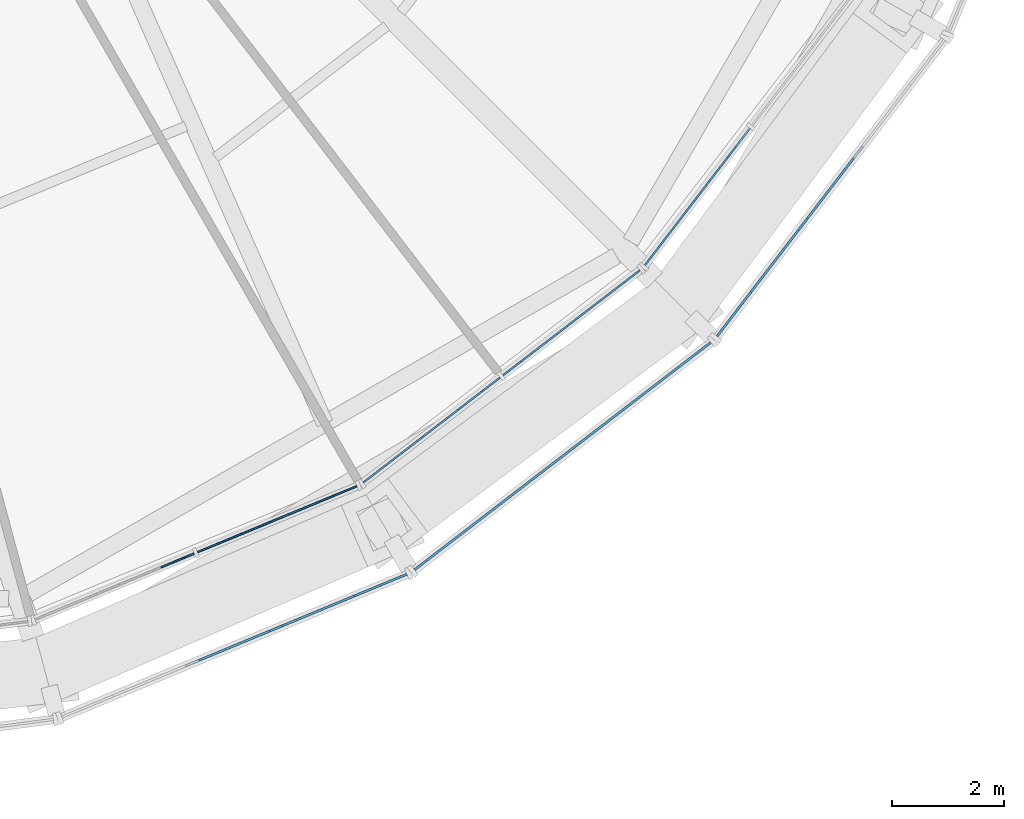
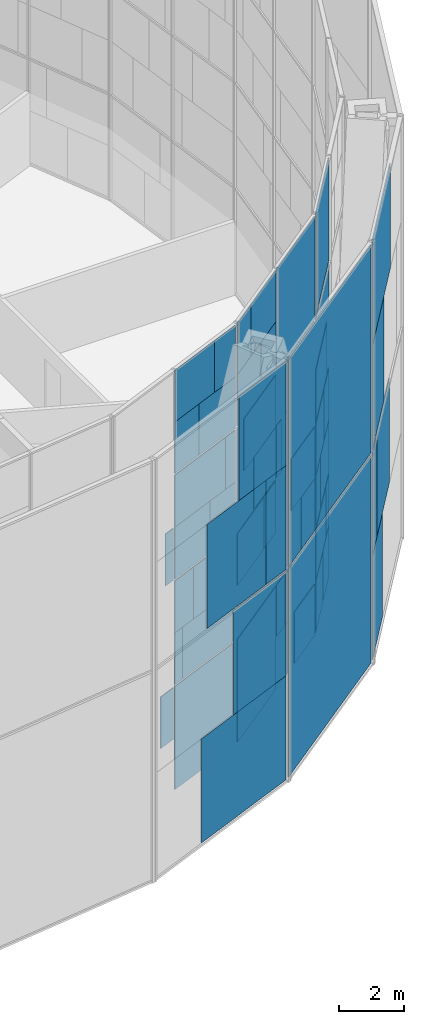
# One storey, part 17 of 28: 63 plates, 6 elements without a shape of their own.
"""IFC4 building model written with IfcOpenShell, lengths in metres."""

from ifc_helpers import new_model, si_unit, direction, frame, origin, origin_2d, place, context, subcontext, project, spatial, rectangle, extrude, material, layer, layer_set, type_object, element, aggregate, save


model = new_model("IFC4")

# Units and contexts
model_context = context("Model", 3, precision=1e-05, world=origin(), true_north=direction((0.0, 1.0)))
body_context = subcontext(model_context, "Body", "Model", "MODEL_VIEW")
ifc_project = project(units=[si_unit("LENGTHUNIT", "METRE"), si_unit("AREAUNIT", "SQUARE_METRE"), si_unit("VOLUMEUNIT", "CUBIC_METRE"), si_unit("PLANEANGLEUNIT", "RADIAN"), si_unit("MASSUNIT", "GRAM", prefix="KILO")], contexts=[model_context])

# Site, building, storey
site_placement = place(None, origin())
site = spatial("IfcSite", under=ifc_project, at=site_placement, CompositionType="ELEMENT")
building_placement = place(site_placement, origin())
building = spatial("IfcBuilding", under=site, at=building_placement, Name="Golbaran Civic Tower", CompositionType="ELEMENT")
storey_placement = place(building_placement, frame((0.0, 0.0, 134.0)))
storey = spatial("IfcBuildingStorey", under=building, at=storey_placement, Name="L32", CompositionType="ELEMENT", Elevation=134.0)

# Curtain wall, plates
ifc_material_1 = material(Name="Aluminium and glass", Category="aluminium")
curtain_wall_type_1 = type_object("IfcCurtainWallType", Name="INNER SKIN CURTAIN WALL", PredefinedType="NOTDEFINED", material=ifc_material_1)
curtain_wall_1_placement = place(storey_placement, origin())
curtain_wall_1 = element("IfcCurtainWall", 1, at=curtain_wall_1_placement, inside=storey, type_object=curtain_wall_type_1, Name="Inner skin L32 facet 20 CW1", ObjectType="INNER SKIN", PredefinedType="USERDEFINED")
ifc_material_2 = material(Name="Clear insulating glass", Category="glass")
ifc_layer_1 = layer(ifc_material_2, 0.031982421875, Name="Clear insulating glass")
ifc_layer_set_1 = layer_set([ifc_layer_1], Name="Clear insulating glass")
plate_type_1 = type_object("IfcPlateType", Name="INNER SKIN CURTAIN WALL GLAZED PANEL", PredefinedType="CURTAIN_PANEL", material=ifc_layer_set_1)
plate_1_placement = place(storey_placement, frame((8.9384765625, -22.5087890625, 2.016357421875), z_axis=(0.0, 0.0, 1.0), x_axis=(0.923879532485, 0.38268343243, 0.0)))
plate_1 = element("IfcPlate", 2, at=plate_1_placement, type_object=plate_type_1, Name="CW1 panel 1.1 part 4", PredefinedType="CURTAIN_PANEL", context=body_context, shape_type="SweptSolid", body=[
    extrude(rectangle(XDim=0.646484375, YDim=0.031982421875, at=origin_2d()), origin(), (0.0, 0.0, 1.0), 1.951171875),
])
plate_2_placement = place(storey_placement, frame((10.724853515625, -21.768798828125, 0.06494140625), z_axis=(0.0, 0.0, 1.0), x_axis=(0.923879532485, 0.38268343243, 0.0)))
plate_2 = element("IfcPlate", 3, at=plate_2_placement, type_object=plate_type_1, Name="CW1 panel 2.1", PredefinedType="CURTAIN_PANEL", context=body_context, shape_type="SweptSolid", body=[
    extrude(rectangle(XDim=3.090576171875, YDim=0.031982421875, at=origin_2d()), origin(), (0.0, 0.0, 1.0), 3.902587890625),
])
plate_3_placement = place(storey_placement, frame((10.909912109375, -21.692138671875, 4.03271484375), z_axis=(0.0, 0.0, 1.0), x_axis=(0.923879532485, 0.38268343243, 0.0)))
plate_3 = element("IfcPlate", 4, at=plate_3_placement, type_object=plate_type_1, Name="CW1 panel 2.2 part 2", PredefinedType="CURTAIN_PANEL", context=body_context, shape_type="SweptSolid", body=[
    extrude(rectangle(XDim=2.689697265625, YDim=0.031982421875, at=origin_2d()), origin(), (0.0, 0.0, 1.0), 1.967529296875),
])
plate_4_placement = place(storey_placement, frame((11.158447265625, -21.58935546875, 6.0), z_axis=(0.0, 0.0, 1.0), x_axis=(0.923879532485, 0.38268343243, 0.0)))
plate_4 = element("IfcPlate", 5, at=plate_4_placement, type_object=plate_type_1, Name="CW1 panel 2.2 part 4", PredefinedType="CURTAIN_PANEL", context=body_context, shape_type="SweptSolid", body=[
    extrude(rectangle(XDim=2.151611328125, YDim=0.031982421875, at=origin_2d()), origin(), (0.0, 0.0, 1.0), 1.967529296875),
])
plate_5_placement = place(storey_placement, frame((11.546142578125, -21.4287109375, 8.03271484375), z_axis=(0.0, 0.0, 1.0), x_axis=(0.923879532485, 0.38268343243, 0.0)))
plate_5 = element("IfcPlate", 6, at=plate_5_placement, type_object=plate_type_1, Name="CW1 panel 2.3 part 2", PredefinedType="CURTAIN_PANEL", context=body_context, shape_type="SweptSolid", body=[
    extrude(rectangle(XDim=1.3125, YDim=0.031982421875, at=origin_2d()), origin(), (0.0, 0.0, 1.0), 1.967529296875),
])
plate_6_placement = place(storey_placement, frame((11.920654296875, -21.2734375, 10.0), z_axis=(0.0, 0.0, 1.0), x_axis=(0.923879532485, 0.38268343243, 0.0)))
plate_6 = element("IfcPlate", 7, at=plate_6_placement, type_object=plate_type_1, Name="CW1 panel 2.3 part 4", PredefinedType="CURTAIN_PANEL", context=body_context, shape_type="SweptSolid", body=[
    extrude(rectangle(XDim=0.501708984375, YDim=0.031982421875, at=origin_2d()), origin(), (0.0, 0.0, 1.0), 1.967529296875),
])
plate_7_placement = place(storey_placement, frame((9.85986328125, -22.127197265625, 12.032470703125), z_axis=(0.0, 0.0, 1.0), x_axis=(0.923879532485, 0.38268343243, 0.0)))
plate_7 = element("IfcPlate", 8, at=plate_7_placement, type_object=plate_type_1, Name="CW1 panel 2.4 part 1", PredefinedType="CURTAIN_PANEL", context=body_context, shape_type="SweptSolid", body=[
    extrude(rectangle(XDim=1.218017578125, YDim=0.031982421875, at=origin_2d()), origin(), (0.0, 0.0, 1.0), 1.951171875),
])
plate_8_placement = place(storey_placement, frame((10.231689453125, -21.97314453125, 13.98388671875), z_axis=(0.0, 0.0, 1.0), x_axis=(0.923879532485, 0.38268343243, 0.0)))
plate_8 = element("IfcPlate", 9, at=plate_8_placement, type_object=plate_type_1, Name="CW1 panel 2.4 part 3", PredefinedType="CURTAIN_PANEL", context=body_context, shape_type="SweptSolid", body=[
    extrude(rectangle(XDim=2.02294921875, YDim=0.031982421875, at=origin_2d()), origin(), (0.0, 0.0, 1.0), 1.951171875),
])

curtain_wall_2_placement = place(storey_placement, origin())
curtain_wall_2 = element("IfcCurtainWall", 10, at=curtain_wall_2_placement, inside=storey, type_object=curtain_wall_type_1, Name="Inner skin L32 facet 21 CW1", ObjectType="INNER SKIN", PredefinedType="USERDEFINED")
plate_9_placement = place(storey_placement, frame((13.489990234375, -20.17236328125, 0.06494140625), z_axis=(0.0, 0.0, 1.0), x_axis=(0.793353340259, 0.60876142905, 0.0)))
plate_9 = element("IfcPlate", 11, at=plate_9_placement, type_object=plate_type_1, Name="CW1 panel 1.1", PredefinedType="CURTAIN_PANEL", context=body_context, shape_type="SweptSolid", body=[
    extrude(rectangle(XDim=3.090576171875, YDim=0.031982421875, at=origin_2d()), origin(), (0.0, 0.0, 1.0), 3.902587890625),
])
plate_10_placement = place(storey_placement, frame((13.330810546875, -20.294677734375, 4.03271484375), z_axis=(0.0, 0.0, 1.0), x_axis=(0.793353340259, 0.60876142905, 0.0)))
plate_10 = element("IfcPlate", 12, at=plate_10_placement, type_object=plate_type_1, Name="CW1 panel 1.2 part 1", PredefinedType="CURTAIN_PANEL", context=body_context, shape_type="SweptSolid", body=[
    extrude(rectangle(XDim=2.68896484375, YDim=0.031982421875, at=origin_2d()), origin(), (0.0, 0.0, 1.0), 1.967529296875),
])
plate_11_placement = place(storey_placement, frame((13.117431640625, -20.45849609375, 6.0), z_axis=(0.0, 0.0, 1.0), x_axis=(0.793353340259, 0.60876142905, 0.0)))
plate_11 = element("IfcPlate", 13, at=plate_11_placement, type_object=plate_type_1, Name="CW1 panel 1.2 part 3", PredefinedType="CURTAIN_PANEL", context=body_context, shape_type="SweptSolid", body=[
    extrude(rectangle(XDim=2.15087890625, YDim=0.031982421875, at=origin_2d()), origin(), (0.0, 0.0, 1.0), 1.967529296875),
])
plate_12_placement = place(storey_placement, frame((12.784912109375, -20.71337890625, 8.03271484375), z_axis=(0.0, 0.0, 1.0), x_axis=(0.793353340259, 0.60876142905, 0.0)))
plate_12 = element("IfcPlate", 14, at=plate_12_placement, type_object=plate_type_1, Name="CW1 panel 1.3 part 1", PredefinedType="CURTAIN_PANEL", context=body_context, shape_type="SweptSolid", body=[
    extrude(rectangle(XDim=1.31298828125, YDim=0.031982421875, at=origin_2d()), origin(), (0.0, 0.0, 1.0), 1.967529296875),
])
plate_13_placement = place(storey_placement, frame((12.462890625, -20.960693359375, 10.0), z_axis=(0.0, 0.0, 1.0), x_axis=(0.793353340259, 0.60876142905, 0.0)))
plate_13 = element("IfcPlate", 15, at=plate_13_placement, type_object=plate_type_1, Name="CW1 panel 1.3 part 3", PredefinedType="CURTAIN_PANEL", context=body_context, shape_type="SweptSolid", body=[
    extrude(rectangle(XDim=0.5009765625, YDim=0.031982421875, at=origin_2d()), origin(), (0.0, 0.0, 1.0), 1.967529296875),
])
plate_14_placement = place(storey_placement, frame((14.232666015625, -19.6025390625, 12.032470703125), z_axis=(0.0, 0.0, 1.0), x_axis=(0.793353340259, 0.60876142905, 0.0)))
plate_14 = element("IfcPlate", 16, at=plate_14_placement, type_object=plate_type_1, Name="CW1 panel 1.4 part 2", PredefinedType="CURTAIN_PANEL", context=body_context, shape_type="SweptSolid", body=[
    extrude(rectangle(XDim=1.218505859375, YDim=0.031982421875, at=origin_2d()), origin(), (0.0, 0.0, 1.0), 1.951171875),
])
plate_15_placement = place(storey_placement, frame((13.913330078125, -19.84765625, 13.98388671875), z_axis=(0.0, 0.0, 1.0), x_axis=(0.793353340259, 0.60876142905, 0.0)))
plate_15 = element("IfcPlate", 17, at=plate_15_placement, type_object=plate_type_1, Name="CW1 panel 1.4 part 4", PredefinedType="CURTAIN_PANEL", context=body_context, shape_type="SweptSolid", body=[
    extrude(rectangle(XDim=2.023681640625, YDim=0.031982421875, at=origin_2d()), origin(), (0.0, 0.0, 1.0), 1.951171875),
])
plate_16_placement = place(storey_placement, frame((15.34326171875, -18.75048828125, 0.06494140625), z_axis=(0.0, 0.0, 1.0), x_axis=(0.793353340259, 0.60876142905, 0.0)))
plate_16 = element("IfcPlate", 18, at=plate_16_placement, type_object=plate_type_1, Name="CW1 panel 2.1 part 1", PredefinedType="CURTAIN_PANEL", context=body_context, shape_type="SweptSolid", body=[
    extrude(rectangle(XDim=1.450927734375, YDim=0.031982421875, at=origin_2d()), origin(), (0.0, 0.0, 1.0), 1.951171875),
])
plate_17_placement = place(storey_placement, frame((15.02392578125, -18.995361328125, 2.016357421875), z_axis=(0.0, 0.0, 1.0), x_axis=(0.793353340259, 0.60876142905, 0.0)))
plate_17 = element("IfcPlate", 19, at=plate_17_placement, type_object=plate_type_1, Name="CW1 panel 2.1 part 3", PredefinedType="CURTAIN_PANEL", context=body_context, shape_type="SweptSolid", body=[
    extrude(rectangle(XDim=0.64599609375, YDim=0.031982421875, at=origin_2d()), origin(), (0.0, 0.0, 1.0), 1.951171875),
])
plate_18_placement = place(storey_placement, frame((16.793701171875, -17.637451171875, 4.03271484375), z_axis=(0.0, 0.0, 1.0), x_axis=(0.793353340259, 0.60876142905, 0.0)))
plate_18 = element("IfcPlate", 20, at=plate_18_placement, type_object=plate_type_1, Name="CW1 panel 2.2 part 2", PredefinedType="CURTAIN_PANEL", context=body_context, shape_type="SweptSolid", body=[
    extrude(rectangle(XDim=1.073486328125, YDim=0.031982421875, at=origin_2d()), origin(), (0.0, 0.0, 1.0), 1.967529296875),
])
plate_19_placement = place(storey_placement, frame((16.471923828125, -17.88427734375, 6.0), z_axis=(0.0, 0.0, 1.0), x_axis=(0.793353340259, 0.60876142905, 0.0)))
plate_19 = element("IfcPlate", 21, at=plate_19_placement, type_object=plate_type_1, Name="CW1 panel 2.2 part 4", PredefinedType="CURTAIN_PANEL", context=body_context, shape_type="SweptSolid", body=[
    extrude(rectangle(XDim=1.884521484375, YDim=0.031982421875, at=origin_2d()), origin(), (0.0, 0.0, 1.0), 1.967529296875),
])
plate_20_placement = place(storey_placement, frame((16.152587890625, -18.12939453125, 8.03271484375), z_axis=(0.0, 0.0, 1.0), x_axis=(0.793353340259, 0.60876142905, 0.0)))
plate_20 = element("IfcPlate", 22, at=plate_20_placement, type_object=plate_type_1, Name="CW1 panel 2.3 part 2", PredefinedType="CURTAIN_PANEL", context=body_context, shape_type="SweptSolid", body=[
    extrude(rectangle(XDim=2.689697265625, YDim=0.031982421875, at=origin_2d()), origin(), (0.0, 0.0, 1.0), 1.967529296875),
])
plate_21_placement = place(storey_placement, frame((15.99365234375, -18.25146484375, 10.0), z_axis=(0.0, 0.0, 1.0), x_axis=(0.793353340259, 0.60876142905, 0.0)))
plate_21 = element("IfcPlate", 23, at=plate_21_placement, type_object=plate_type_1, Name="CW1 panel 2.3 part 3", PredefinedType="CURTAIN_PANEL", context=body_context, shape_type="SweptSolid", body=[
    extrude(rectangle(XDim=3.090576171875, YDim=0.031982421875, at=origin_2d()), origin(), (0.0, 0.0, 1.0), 1.967529296875),
])
plate_22_placement = place(storey_placement, frame((15.99365234375, -18.25146484375, 12.0322265625), z_axis=(0.0, 0.0, 1.0), x_axis=(0.793353340259, 0.60876142905, 0.0)))
plate_22 = element("IfcPlate", 24, at=plate_22_placement, type_object=plate_type_1, Name="CW1 panel 2.4", PredefinedType="CURTAIN_PANEL", context=body_context, shape_type="SweptSolid", body=[
    extrude(rectangle(XDim=3.090576171875, YDim=0.031982421875, at=origin_2d()), origin(), (0.0, 0.0, 1.0), 3.902587890625),
])

curtain_wall_3_placement = place(storey_placement, origin())
curtain_wall_3 = element("IfcCurtainWall", 25, at=curtain_wall_3_placement, inside=storey, type_object=curtain_wall_type_1, Name="Inner skin L32 facet 22 CW1", ObjectType="INNER SKIN", PredefinedType="USERDEFINED")
plate_23_placement = place(storey_placement, frame((18.750244140625, -15.343505859375, 0.06494140625), z_axis=(0.0, 0.0, 1.0), x_axis=(0.60876142905, 0.793353340259, 0.0)))
plate_23 = element("IfcPlate", 26, at=plate_23_placement, type_object=plate_type_1, Name="CW1 panel 1.1 part 2", PredefinedType="CURTAIN_PANEL", context=body_context, shape_type="SweptSolid", body=[
    extrude(rectangle(XDim=1.45166015625, YDim=0.031982421875, at=origin_2d()), origin(), (0.0, 0.0, 1.0), 1.951171875),
])
plate_24_placement = place(storey_placement, frame((18.995361328125, -15.024169921875, 2.016357421875), z_axis=(0.0, 0.0, 1.0), x_axis=(0.60876142905, 0.793353340259, 0.0)))
plate_24 = element("IfcPlate", 27, at=plate_24_placement, type_object=plate_type_1, Name="CW1 panel 1.1 part 4", PredefinedType="CURTAIN_PANEL", context=body_context, shape_type="SweptSolid", body=[
    extrude(rectangle(XDim=0.646484375, YDim=0.031982421875, at=origin_2d()), origin(), (0.0, 0.0, 1.0), 1.951171875),
])
plate_25_placement = place(storey_placement, frame((17.63720703125, -16.7939453125, 4.03271484375), z_axis=(0.0, 0.0, 1.0), x_axis=(0.60876142905, 0.793353340259, 0.0)))
plate_25 = element("IfcPlate", 28, at=plate_25_placement, type_object=plate_type_1, Name="CW1 panel 1.2 part 1", PredefinedType="CURTAIN_PANEL", context=body_context, shape_type="SweptSolid", body=[
    extrude(rectangle(XDim=1.072998046875, YDim=0.031982421875, at=origin_2d()), origin(), (0.0, 0.0, 1.0), 1.967529296875),
])
plate_26_placement = place(storey_placement, frame((17.884521484375, -16.4716796875, 6.0), z_axis=(0.0, 0.0, 1.0), x_axis=(0.60876142905, 0.793353340259, 0.0)))
plate_26 = element("IfcPlate", 29, at=plate_26_placement, type_object=plate_type_1, Name="CW1 panel 1.2 part 3", PredefinedType="CURTAIN_PANEL", context=body_context, shape_type="SweptSolid", body=[
    extrude(rectangle(XDim=1.885009765625, YDim=0.031982421875, at=origin_2d()), origin(), (0.0, 0.0, 1.0), 1.967529296875),
])
plate_27_placement = place(storey_placement, frame((18.129150390625, -16.15283203125, 8.03271484375), z_axis=(0.0, 0.0, 1.0), x_axis=(0.60876142905, 0.793353340259, 0.0)))
plate_27 = element("IfcPlate", 30, at=plate_27_placement, type_object=plate_type_1, Name="CW1 panel 1.3 part 1", PredefinedType="CURTAIN_PANEL", context=body_context, shape_type="SweptSolid", body=[
    extrude(rectangle(XDim=2.68896484375, YDim=0.031982421875, at=origin_2d()), origin(), (0.0, 0.0, 1.0), 1.967529296875),
])
plate_28_placement = place(storey_placement, frame((18.25146484375, -15.99365234375, 10.0), z_axis=(0.0, 0.0, 1.0), x_axis=(0.60876142905, 0.793353340259, 0.0)))
plate_28 = element("IfcPlate", 31, at=plate_28_placement, type_object=plate_type_1, Name="CW1 panel 1.3 part 3", PredefinedType="CURTAIN_PANEL", context=body_context, shape_type="SweptSolid", body=[
    extrude(rectangle(XDim=3.090576171875, YDim=0.031982421875, at=origin_2d()), origin(), (0.0, 0.0, 1.0), 1.967529296875),
])
plate_29_placement = place(storey_placement, frame((18.25146484375, -15.99365234375, 12.0322265625), z_axis=(0.0, 0.0, 1.0), x_axis=(0.60876142905, 0.793353340259, 0.0)))
plate_29 = element("IfcPlate", 32, at=plate_29_placement, type_object=plate_type_1, Name="CW1 panel 1.4", PredefinedType="CURTAIN_PANEL", context=body_context, shape_type="SweptSolid", body=[
    extrude(rectangle(XDim=3.090576171875, YDim=0.031982421875, at=origin_2d()), origin(), (0.0, 0.0, 1.0), 3.902587890625),
])

# Plate
ifc_material_3 = material(Name="Aluminium faced opaque infill panel", Category="aluminium")
ifc_layer_2 = layer(ifc_material_3, 0.031982421875, Name="Aluminium faced opaque infill panel")
ifc_layer_set_2 = layer_set([ifc_layer_2], Name="Aluminium faced opaque infill panel")
plate_type_2 = type_object("IfcPlateType", Name="INNER SKIN CURTAIN WALL OPAQUE INFILL PANEL", PredefinedType="CURTAIN_PANEL", material=ifc_layer_set_2)
plate_30_placement = place(storey_placement, frame((9.051513671875, -22.4619140625, 8.03271484375), z_axis=(0.0, 0.0, 1.0), x_axis=(0.923879532485, 0.38268343243, 0.0)))
plate_30 = element("IfcPlate", 33, at=plate_30_placement, type_object=plate_type_2, Name="CW1 infill panel 1.3 part 2", PredefinedType="CURTAIN_PANEL", context=body_context, shape_type="SweptSolid", body=[
    extrude(rectangle(XDim=0.401611328125, YDim=0.031982421875, at=origin_2d()), origin(), (0.0, 0.0, 1.0), 1.967529296875),
])

plate_31_placement = place(storey_placement, frame((9.482421875, -22.283447265625, 4.03271484375), z_axis=(0.0, 0.0, 1.0), x_axis=(0.923879532485, 0.38268343243, 0.0)))
plate_31 = element("IfcPlate", 34, at=plate_31_placement, type_object=plate_type_2, Name="CW1 infill panel 2.2 part 1", PredefinedType="CURTAIN_PANEL", context=body_context, shape_type="SweptSolid", body=[
    extrude(rectangle(XDim=0.40087890625, YDim=0.031982421875, at=origin_2d()), origin(), (0.0, 0.0, 1.0), 1.967529296875),
])

plate_32_placement = place(storey_placement, frame((9.73095703125, -22.1806640625, 6.0), z_axis=(0.0, 0.0, 1.0), x_axis=(0.923879532485, 0.38268343243, 0.0)))
plate_32 = element("IfcPlate", 35, at=plate_32_placement, type_object=plate_type_2, Name="CW1 infill panel 2.2 part 3", PredefinedType="CURTAIN_PANEL", context=body_context, shape_type="SweptSolid", body=[
    extrude(rectangle(XDim=0.93896484375, YDim=0.031982421875, at=origin_2d()), origin(), (0.0, 0.0, 1.0), 1.967529296875),
])

plate_33_placement = place(storey_placement, frame((10.118408203125, -22.02001953125, 8.03271484375), z_axis=(0.0, 0.0, 1.0), x_axis=(0.923879532485, 0.38268343243, 0.0)))
plate_33 = element("IfcPlate", 36, at=plate_33_placement, type_object=plate_type_2, Name="CW1 infill panel 2.3 part 1", PredefinedType="CURTAIN_PANEL", context=body_context, shape_type="SweptSolid", body=[
    extrude(rectangle(XDim=1.778076171875, YDim=0.031982421875, at=origin_2d()), origin(), (0.0, 0.0, 1.0), 1.967529296875),
])

plate_34_placement = place(storey_placement, frame((10.4931640625, -21.864990234375, 10.0), z_axis=(0.0, 0.0, 1.0), x_axis=(0.923879532485, 0.38268343243, 0.0)))
plate_34 = element("IfcPlate", 37, at=plate_34_placement, type_object=plate_type_2, Name="CW1 infill panel 2.3 part 3", PredefinedType="CURTAIN_PANEL", context=body_context, shape_type="SweptSolid", body=[
    extrude(rectangle(XDim=2.589111328125, YDim=0.031982421875, at=origin_2d()), origin(), (0.0, 0.0, 1.0), 1.967529296875),
])

plate_35_placement = place(storey_placement, frame((11.287353515625, -21.535888671875, 12.032470703125), z_axis=(0.0, 0.0, 1.0), x_axis=(0.923879532485, 0.38268343243, 0.0)))
plate_35 = element("IfcPlate", 38, at=plate_35_placement, type_object=plate_type_2, Name="CW1 infill panel 2.4 part 2", PredefinedType="CURTAIN_PANEL", context=body_context, shape_type="SweptSolid", body=[
    extrude(rectangle(XDim=1.87255859375, YDim=0.031982421875, at=origin_2d()), origin(), (0.0, 0.0, 1.0), 1.951171875),
])

plate_36_placement = place(storey_placement, frame((11.6591796875, -21.3818359375, 13.98388671875), z_axis=(0.0, 0.0, 1.0), x_axis=(0.923879532485, 0.38268343243, 0.0)))
plate_36 = element("IfcPlate", 39, at=plate_36_placement, type_object=plate_type_2, Name="CW1 infill panel 2.4 part 4", PredefinedType="CURTAIN_PANEL", context=body_context, shape_type="SweptSolid", body=[
    extrude(rectangle(XDim=1.067626953125, YDim=0.031982421875, at=origin_2d()), origin(), (0.0, 0.0, 1.0), 1.951171875),
])

aggregate(curtain_wall_1, [plate_1, plate_30, plate_2, plate_31, plate_3, plate_32, plate_4, plate_33, plate_5, plate_34, plate_6, plate_7, plate_35, plate_8, plate_36])

plate_37_placement = place(storey_placement, frame((14.556640625, -19.35400390625, 4.03271484375), z_axis=(0.0, 0.0, 1.0), x_axis=(0.793353340259, 0.60876142905, 0.0)))
plate_37 = element("IfcPlate", 40, at=plate_37_placement, type_object=plate_type_2, Name="CW1 infill panel 1.2 part 2", PredefinedType="CURTAIN_PANEL", context=body_context, shape_type="SweptSolid", body=[
    extrude(rectangle(XDim=0.401611328125, YDim=0.031982421875, at=origin_2d()), origin(), (0.0, 0.0, 1.0), 1.967529296875),
])

plate_38_placement = place(storey_placement, frame((14.34326171875, -19.517578125, 6.0), z_axis=(0.0, 0.0, 1.0), x_axis=(0.793353340259, 0.60876142905, 0.0)))
plate_38 = element("IfcPlate", 41, at=plate_38_placement, type_object=plate_type_2, Name="CW1 infill panel 1.2 part 4", PredefinedType="CURTAIN_PANEL", context=body_context, shape_type="SweptSolid", body=[
    extrude(rectangle(XDim=0.939697265625, YDim=0.031982421875, at=origin_2d()), origin(), (0.0, 0.0, 1.0), 1.967529296875),
])

plate_39_placement = place(storey_placement, frame((14.010986328125, -19.772705078125, 8.03271484375), z_axis=(0.0, 0.0, 1.0), x_axis=(0.793353340259, 0.60876142905, 0.0)))
plate_39 = element("IfcPlate", 42, at=plate_39_placement, type_object=plate_type_2, Name="CW1 infill panel 1.3 part 2", PredefinedType="CURTAIN_PANEL", context=body_context, shape_type="SweptSolid", body=[
    extrude(rectangle(XDim=1.777587890625, YDim=0.031982421875, at=origin_2d()), origin(), (0.0, 0.0, 1.0), 1.967529296875),
])

plate_40_placement = place(storey_placement, frame((13.688720703125, -20.019775390625, 10.0), z_axis=(0.0, 0.0, 1.0), x_axis=(0.793353340259, 0.60876142905, 0.0)))
plate_40 = element("IfcPlate", 43, at=plate_40_placement, type_object=plate_type_2, Name="CW1 infill panel 1.3 part 4", PredefinedType="CURTAIN_PANEL", context=body_context, shape_type="SweptSolid", body=[
    extrude(rectangle(XDim=2.589599609375, YDim=0.031982421875, at=origin_2d()), origin(), (0.0, 0.0, 1.0), 1.967529296875),
])

plate_41_placement = place(storey_placement, frame((13.006591796875, -20.543212890625, 12.032470703125), z_axis=(0.0, 0.0, 1.0), x_axis=(0.793353340259, 0.60876142905, 0.0)))
plate_41 = element("IfcPlate", 44, at=plate_41_placement, type_object=plate_type_2, Name="CW1 infill panel 1.4 part 1", PredefinedType="CURTAIN_PANEL", context=body_context, shape_type="SweptSolid", body=[
    extrude(rectangle(XDim=1.8720703125, YDim=0.031982421875, at=origin_2d()), origin(), (0.0, 0.0, 1.0), 1.951171875),
])

plate_42_placement = place(storey_placement, frame((12.687255859375, -20.788330078125, 13.98388671875), z_axis=(0.0, 0.0, 1.0), x_axis=(0.793353340259, 0.60876142905, 0.0)))
plate_42 = element("IfcPlate", 45, at=plate_42_placement, type_object=plate_type_2, Name="CW1 infill panel 1.4 part 3", PredefinedType="CURTAIN_PANEL", context=body_context, shape_type="SweptSolid", body=[
    extrude(rectangle(XDim=1.06689453125, YDim=0.031982421875, at=origin_2d()), origin(), (0.0, 0.0, 1.0), 1.951171875),
])

plate_43_placement = place(storey_placement, frame((16.569091796875, -17.809814453125, 0.06494140625), z_axis=(0.0, 0.0, 1.0), x_axis=(0.793353340259, 0.60876142905, 0.0)))
plate_43 = element("IfcPlate", 46, at=plate_43_placement, type_object=plate_type_2, Name="CW1 infill panel 2.1 part 2", PredefinedType="CURTAIN_PANEL", context=body_context, shape_type="SweptSolid", body=[
    extrude(rectangle(XDim=1.6396484375, YDim=0.031982421875, at=origin_2d()), origin(), (0.0, 0.0, 1.0), 1.951171875),
])

plate_44_placement = place(storey_placement, frame((16.249755859375, -18.0546875, 2.016357421875), z_axis=(0.0, 0.0, 1.0), x_axis=(0.793353340259, 0.60876142905, 0.0)))
plate_44 = element("IfcPlate", 47, at=plate_44_placement, type_object=plate_type_2, Name="CW1 infill panel 2.1 part 4", PredefinedType="CURTAIN_PANEL", context=body_context, shape_type="SweptSolid", body=[
    extrude(rectangle(XDim=2.444580078125, YDim=0.031982421875, at=origin_2d()), origin(), (0.0, 0.0, 1.0), 1.951171875),
])

plate_45_placement = place(storey_placement, frame((15.567626953125, -18.578125, 4.03271484375), z_axis=(0.0, 0.0, 1.0), x_axis=(0.793353340259, 0.60876142905, 0.0)))
plate_45 = element("IfcPlate", 48, at=plate_45_placement, type_object=plate_type_2, Name="CW1 infill panel 2.2 part 1", PredefinedType="CURTAIN_PANEL", context=body_context, shape_type="SweptSolid", body=[
    extrude(rectangle(XDim=2.01708984375, YDim=0.031982421875, at=origin_2d()), origin(), (0.0, 0.0, 1.0), 1.967529296875),
])

plate_46_placement = place(storey_placement, frame((15.245849609375, -18.824951171875, 6.0), z_axis=(0.0, 0.0, 1.0), x_axis=(0.793353340259, 0.60876142905, 0.0)))
plate_46 = element("IfcPlate", 49, at=plate_46_placement, type_object=plate_type_2, Name="CW1 infill panel 2.2 part 3", PredefinedType="CURTAIN_PANEL", context=body_context, shape_type="SweptSolid", body=[
    extrude(rectangle(XDim=1.2060546875, YDim=0.031982421875, at=origin_2d()), origin(), (0.0, 0.0, 1.0), 1.967529296875),
])

plate_47_placement = place(storey_placement, frame((14.9267578125, -19.070068359375, 8.03271484375), z_axis=(0.0, 0.0, 1.0), x_axis=(0.793353340259, 0.60876142905, 0.0)))
plate_47 = element("IfcPlate", 50, at=plate_47_placement, type_object=plate_type_2, Name="CW1 infill panel 2.3 part 1", PredefinedType="CURTAIN_PANEL", context=body_context, shape_type="SweptSolid", body=[
    extrude(rectangle(XDim=0.40087890625, YDim=0.031982421875, at=origin_2d()), origin(), (0.0, 0.0, 1.0), 1.967529296875),
])

aggregate(curtain_wall_2, [plate_9, plate_10, plate_37, plate_11, plate_38, plate_12, plate_39, plate_13, plate_40, plate_41, plate_14, plate_42, plate_15, plate_16, plate_43, plate_17, plate_44, plate_45, plate_18, plate_46, plate_19, plate_47, plate_20, plate_21, plate_22])

plate_48_placement = place(storey_placement, frame((17.8095703125, -16.5693359375, 0.06494140625), z_axis=(0.0, 0.0, 1.0), x_axis=(0.60876142905, 0.793353340259, 0.0)))
plate_48 = element("IfcPlate", 51, at=plate_48_placement, type_object=plate_type_2, Name="CW1 infill panel 1.1 part 1", PredefinedType="CURTAIN_PANEL", context=body_context, shape_type="SweptSolid", body=[
    extrude(rectangle(XDim=1.638916015625, YDim=0.031982421875, at=origin_2d()), origin(), (0.0, 0.0, 1.0), 1.951171875),
])

plate_49_placement = place(storey_placement, frame((18.054443359375, -16.25, 2.016357421875), z_axis=(0.0, 0.0, 1.0), x_axis=(0.60876142905, 0.793353340259, 0.0)))
plate_49 = element("IfcPlate", 52, at=plate_49_placement, type_object=plate_type_2, Name="CW1 infill panel 1.1 part 3", PredefinedType="CURTAIN_PANEL", context=body_context, shape_type="SweptSolid", body=[
    extrude(rectangle(XDim=2.444091796875, YDim=0.031982421875, at=origin_2d()), origin(), (0.0, 0.0, 1.0), 1.951171875),
])

plate_50_placement = place(storey_placement, frame((18.577880859375, -15.56787109375, 4.03271484375), z_axis=(0.0, 0.0, 1.0), x_axis=(0.60876142905, 0.793353340259, 0.0)))
plate_50 = element("IfcPlate", 53, at=plate_50_placement, type_object=plate_type_2, Name="CW1 infill panel 1.2 part 2", PredefinedType="CURTAIN_PANEL", context=body_context, shape_type="SweptSolid", body=[
    extrude(rectangle(XDim=2.017578125, YDim=0.031982421875, at=origin_2d()), origin(), (0.0, 0.0, 1.0), 1.967529296875),
])

plate_51_placement = place(storey_placement, frame((18.8251953125, -15.245849609375, 6.0), z_axis=(0.0, 0.0, 1.0), x_axis=(0.60876142905, 0.793353340259, 0.0)))
plate_51 = element("IfcPlate", 54, at=plate_51_placement, type_object=plate_type_2, Name="CW1 infill panel 1.2 part 4", PredefinedType="CURTAIN_PANEL", context=body_context, shape_type="SweptSolid", body=[
    extrude(rectangle(XDim=1.20556640625, YDim=0.031982421875, at=origin_2d()), origin(), (0.0, 0.0, 1.0), 1.967529296875),
])

aggregate(curtain_wall_3, [plate_48, plate_23, plate_49, plate_24, plate_25, plate_50, plate_26, plate_51, plate_27, plate_28, plate_29])

# Curtain wall, plates
curtain_wall_type_2 = type_object("IfcCurtainWallType", Name="OUTER SKIN TERRACOTTA SCREEN", PredefinedType="NOTDEFINED", material=ifc_material_1)
curtain_wall_4_placement = place(storey_placement, origin())
curtain_wall_4 = element("IfcCurtainWall", 55, at=curtain_wall_4_placement, inside=storey, type_object=curtain_wall_type_2, Name="Outer skin L32 facet 20 CW3", ObjectType="OUTER SKIN", PredefinedType="USERDEFINED")
ifc_material_4 = material(Name="Clear laminated glass", Category="glass")
ifc_layer_3 = layer(ifc_material_4, 0.0400390625, Name="Clear laminated glass")
ifc_layer_set_3 = layer_set([ifc_layer_3], Name="Clear laminated glass")
plate_type_3 = type_object("IfcPlateType", Name="OUTER SKIN CLEAR GLASS PANEL", PredefinedType="CURTAIN_PANEL", material=ifc_layer_set_3)
plate_52_placement = place(storey_placement, frame((11.06201171875, -23.576904296875, -0.6298828125), z_axis=(0.0, 0.0, 1.0), x_axis=(0.923879532498, 0.382683432397, 0.0)))
plate_52 = element("IfcPlate", 56, at=plate_52_placement, type_object=plate_type_3, Name="CW3 panel 1.1 part 2", PredefinedType="CURTAIN_PANEL", context=body_context, shape_type="SweptSolid", body=[
    extrude(rectangle(XDim=4.294921875, YDim=0.0400390625, at=origin_2d()), origin(), (0.0, 0.0, 1.0), 3.93994140625),
])
plate_53_placement = place(storey_placement, frame((11.813232421875, -23.265869140625, 3.31005859375), z_axis=(0.0, 0.0, 1.0), x_axis=(0.923879532498, 0.382683432397, 0.0)))
plate_53 = element("IfcPlate", 57, at=plate_53_placement, type_object=plate_type_3, Name="CW3 panel 1.1 part 5", PredefinedType="CURTAIN_PANEL", context=body_context, shape_type="SweptSolid", body=[
    extrude(rectangle(XDim=2.6689453125, YDim=0.0400390625, at=origin_2d()), origin(), (0.0, 0.0, 1.0), 3.93994140625),
])
plate_54_placement = place(storey_placement, frame((12.5791015625, -22.948486328125, 7.330078125), z_axis=(0.0, 0.0, 1.0), x_axis=(0.923879532498, 0.382683432397, 0.0)))
plate_54 = element("IfcPlate", 58, at=plate_54_placement, type_object=plate_type_3, Name="CW3 panel 1.2 part 3", PredefinedType="CURTAIN_PANEL", context=body_context, shape_type="SweptSolid", body=[
    extrude(rectangle(XDim=1.010986328125, YDim=0.0400390625, at=origin_2d()), origin(), (0.0, 0.0, 1.0), 3.93994140625),
])

curtain_wall_5_placement = place(storey_placement, origin())
curtain_wall_5 = element("IfcCurtainWall", 59, at=curtain_wall_5_placement, inside=storey, type_object=curtain_wall_type_2, Name="Outer skin L32 facet 22 CW3", ObjectType="OUTER SKIN", PredefinedType="USERDEFINED")
plate_55_placement = place(storey_placement, frame((18.90673828125, -18.095458984375, 3.31005859375), z_axis=(0.0, 0.0, 1.0), x_axis=(0.608761429036, 0.79335334027, 0.0)))
plate_55 = element("IfcPlate", 60, at=plate_55_placement, type_object=plate_type_3, Name="CW3 panel 1.1 part 3", PredefinedType="CURTAIN_PANEL", context=body_context, shape_type="SweptSolid", body=[
    extrude(rectangle(XDim=0.9970703125, YDim=0.0400390625, at=origin_2d()), origin(), (0.0, 0.0, 1.0), 3.93994140625),
])
plate_56_placement = place(storey_placement, frame((19.41162109375, -17.4375, 7.330078125), z_axis=(0.0, 0.0, 1.0), x_axis=(0.608761429036, 0.79335334027, 0.0)))
plate_56 = element("IfcPlate", 61, at=plate_56_placement, type_object=plate_type_3, Name="CW3 panel 1.2 part 1", PredefinedType="CURTAIN_PANEL", context=body_context, shape_type="SweptSolid", body=[
    extrude(rectangle(XDim=2.656005859375, YDim=0.0400390625, at=origin_2d()), origin(), (0.0, 0.0, 1.0), 3.93994140625),
])
plate_57_placement = place(storey_placement, frame((19.906494140625, -16.79248046875, 11.27001953125), z_axis=(0.0, 0.0, 1.0), x_axis=(0.608761429036, 0.79335334027, 0.0)))
plate_57 = element("IfcPlate", 62, at=plate_57_placement, type_object=plate_type_3, Name="CW3 panel 1.2 part 4", PredefinedType="CURTAIN_PANEL", context=body_context, shape_type="SweptSolid", body=[
    extrude(rectangle(XDim=4.281982421875, YDim=0.0400390625, at=origin_2d()), origin(), (0.0, 0.0, 1.0), 3.93994140625),
])

# Plate
ifc_material_5 = material(Name="Terracotta baguette screen", Category="masonry")
ifc_layer_4 = layer(ifc_material_5, 0.0400390625, Name="Terracotta baguette screen")
ifc_layer_set_4 = layer_set([ifc_layer_4], Name="Terracotta baguette screen")
plate_type_4 = type_object("IfcPlateType", Name="OUTER SKIN TERRACOTTA INFILL PANEL", PredefinedType="CURTAIN_PANEL", material=ifc_layer_set_4)
plate_58_placement = place(storey_placement, frame((10.715576171875, -23.720458984375, 7.330078125), z_axis=(0.0, 0.0, 1.0), x_axis=(0.923879532498, 0.382683432397, 0.0)))
plate_58 = element("IfcPlate", 63, at=plate_58_placement, type_object=plate_type_4, Name="CW3 infill panel 1.2 part 2", PredefinedType="CURTAIN_PANEL", context=body_context, shape_type="SweptSolid", body=[
    extrude(rectangle(XDim=3.02294921875, YDim=0.0400390625, at=origin_2d()), origin(), (0.0, 0.0, 1.0), 3.93994140625),
])

plate_59_placement = place(storey_placement, frame((11.933837890625, -23.2158203125, 11.27001953125), z_axis=(0.0, 0.0, 1.0), x_axis=(0.923879532498, 0.382683432397, 0.0)))
plate_59 = element("IfcPlate", 64, at=plate_59_placement, type_object=plate_type_4, Name="CW3 infill panel 1.2 part 5", PredefinedType="CURTAIN_PANEL", context=body_context, shape_type="SweptSolid", body=[
    extrude(rectangle(XDim=2.407958984375, YDim=0.0400390625, at=origin_2d()), origin(), (0.0, 0.0, 1.0), 3.93994140625),
])

aggregate(curtain_wall_4, [plate_52, plate_53, plate_58, plate_54, plate_59])

plate_60_placement = place(storey_placement, frame((19.332275390625, -17.541015625, -0.6298828125), z_axis=(0.0, 0.0, 1.0), x_axis=(0.608761429036, 0.79335334027, 0.0)))
plate_60 = element("IfcPlate", 65, at=plate_60_placement, type_object=plate_type_4, Name="CW3 infill panel 1.1 part 1", PredefinedType="CURTAIN_PANEL", context=body_context, shape_type="SweptSolid", body=[
    extrude(rectangle(XDim=2.39501953125, YDim=0.0400390625, at=origin_2d()), origin(), (0.0, 0.0, 1.0), 3.93994140625),
])

plate_61_placement = place(storey_placement, frame((20.130615234375, -16.50048828125, 3.31005859375), z_axis=(0.0, 0.0, 1.0), x_axis=(0.608761429036, 0.79335334027, 0.0)))
plate_61 = element("IfcPlate", 66, at=plate_61_placement, type_object=plate_type_4, Name="CW3 infill panel 1.1 part 4", PredefinedType="CURTAIN_PANEL", context=body_context, shape_type="SweptSolid", body=[
    extrude(rectangle(XDim=3.02392578125, YDim=0.0400390625, at=origin_2d()), origin(), (0.0, 0.0, 1.0), 3.93994140625),
])

aggregate(curtain_wall_5, [plate_60, plate_55, plate_61, plate_56, plate_57])

# Curtain wall, plates
curtain_wall_6_placement = place(storey_placement, origin())
curtain_wall_6 = element("IfcCurtainWall", 67, at=curtain_wall_6_placement, inside=storey, type_object=curtain_wall_type_2, Name="Outer skin L32 facet 21 CW3", ObjectType="OUTER SKIN", PredefinedType="USERDEFINED")
ifc_layer_5 = layer(ifc_material_5, 0.0400390625, Name="Terracotta baguette screen")
ifc_layer_set_5 = layer_set([ifc_layer_5], Name="Terracotta baguette screen")
plate_type_5 = type_object("IfcPlateType", Name="OUTER SKIN TERRACOTTA SCREEN PANEL", PredefinedType="CURTAIN_PANEL", material=ifc_layer_set_5)
plate_62_placement = place(storey_placement, frame((15.837158203125, -20.639404296875, -0.6298828125), z_axis=(0.0, 0.0, 1.0), x_axis=(0.79335334027, 0.608761429036, 0.0)))
plate_62 = element("IfcPlate", 68, at=plate_62_placement, type_object=plate_type_5, Name="CW3 terracotta screen panel 1.1", PredefinedType="CURTAIN_PANEL", context=body_context, shape_type="SweptSolid", body=[
    extrude(rectangle(XDim=6.68994140625, YDim=0.0400390625, at=origin_2d()), origin(), (0.0, 0.0, 1.0), 7.8798828125),
])
plate_63_placement = place(storey_placement, frame((15.837158203125, -20.639404296875, 7.330078125), z_axis=(0.0, 0.0, 1.0), x_axis=(0.79335334027, 0.608761429036, 0.0)))
plate_63 = element("IfcPlate", 69, at=plate_63_placement, type_object=plate_type_5, Name="CW3 terracotta screen panel 1.2", PredefinedType="CURTAIN_PANEL", context=body_context, shape_type="SweptSolid", body=[
    extrude(rectangle(XDim=6.68994140625, YDim=0.0400390625, at=origin_2d()), origin(), (0.0, 0.0, 1.0), 7.8798828125),
])
aggregate(curtain_wall_6, [plate_62, plate_63])

save(model, "model.ifc")
